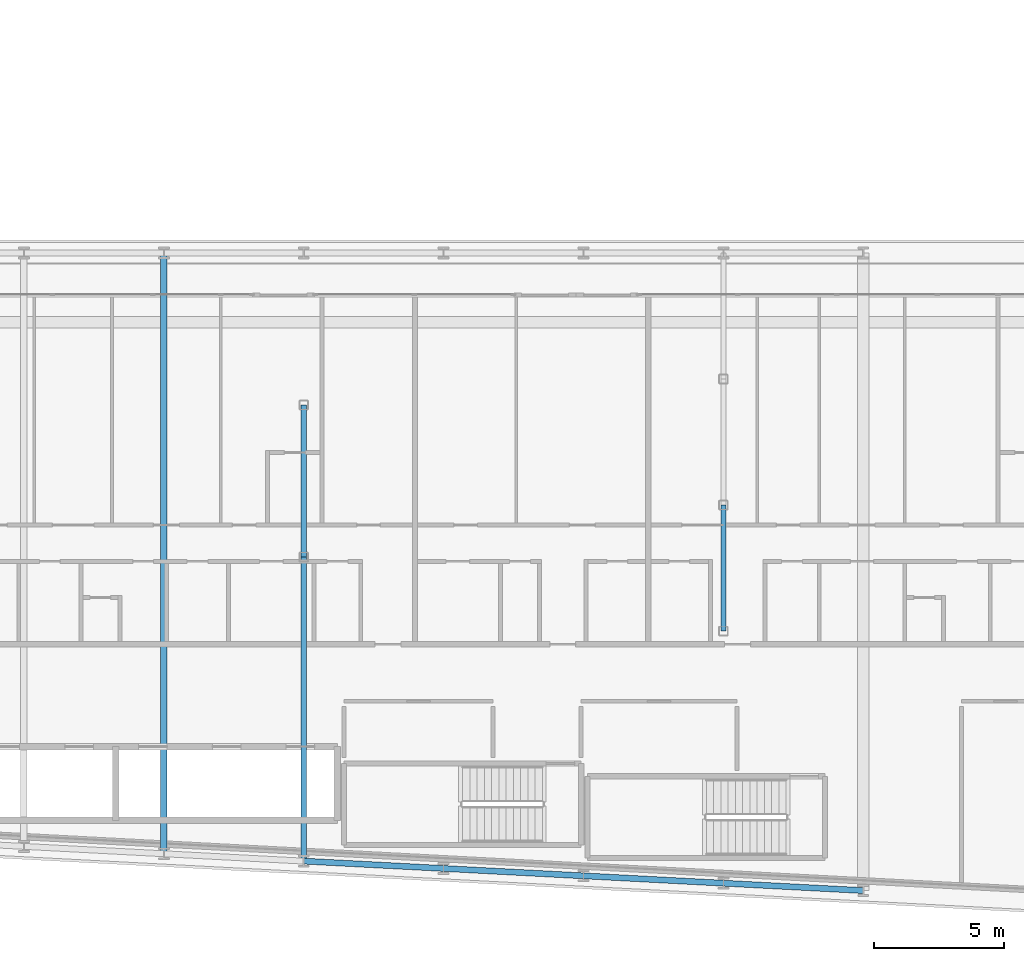
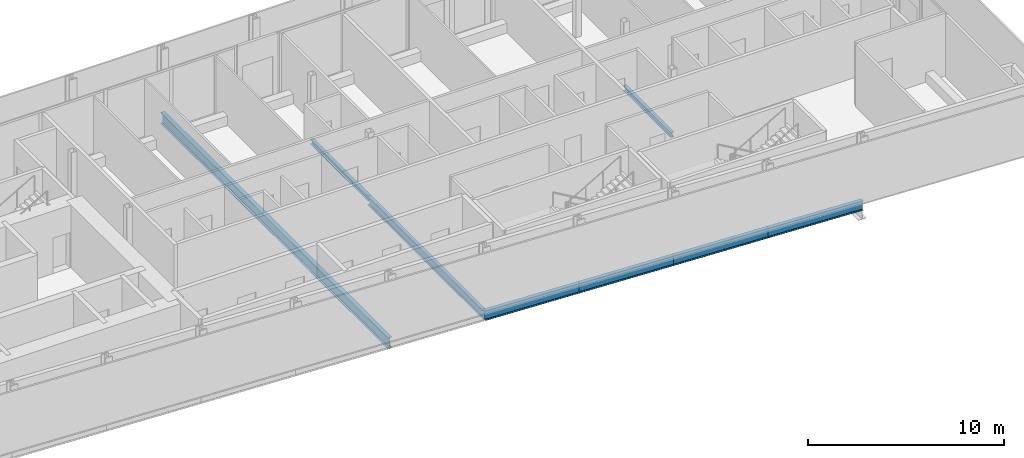
# One storey, part 5 of 28: 8 beams.
"""IFC4 building model written with IfcOpenShell, lengths in metres."""

import ifcopenshell
import ifcopenshell.guid

model = None  # the IFC model being written
_history = None  # IfcOwnerHistory: only IFC2X3 demands one
_inside = {}  # id of a spatial element -> (the spatial element, [elements in it])
_under = {}  # id of a project, library or spatial element -> (it, [spatial elements below it])
_declared = {}  # id of a project -> (the project, [libraries it declares])
_typed = {}  # id of a type object -> (the type object, [elements of that type])
_made_of = {}  # id of a material, layer set ... -> (it, [elements and type objects made of it])


def new_model(schema):
    """Start an empty IFC model of exactly this schema.

    Asked for "IFC4X3", IfcOpenShell would pick the latest addendum, in which some entities
    have other attributes; the version numbers below select the first issue.
    IFC2X3 requires an IfcOwnerHistory on every rooted entity: one is made here for all.
    """
    global model, _history
    if schema == "IFC4X3":
        model = ifcopenshell.file(schema_version=(4, 3, 0, 0))
    else:
        model = ifcopenshell.file(schema=schema)
    _inside.clear()
    _under.clear()
    _declared.clear()
    _typed.clear()
    _made_of.clear()
    _history = None
    if model.schema == "IFC2X3":
        org = make("IfcOrganization", Name="unknown")
        user = make(
            "IfcPersonAndOrganization",
            ThePerson=make("IfcPerson", FamilyName="unknown"),
            TheOrganization=org,
        )
        app = make(
            "IfcApplication",
            ApplicationDeveloper=org,
            Version="unknown",
            ApplicationFullName="unknown",
            ApplicationIdentifier="unknown",
        )
        _history = make(
            "IfcOwnerHistory",
            OwningUser=user,
            OwningApplication=app,
            ChangeAction="ADDED",
            CreationDate=0,
        )
    return model


def make(cls, **values):
    """One entity of the class cls with the attributes given. An attribute that is None is left unset."""
    return model.create_entity(
        cls, **{name: value for name, value in values.items() if value is not None}
    )


def rooted(cls, **values):
    """An entity with a GlobalId (a new one), such as an element, a storey or a relation."""
    return make(cls, GlobalId=ifcopenshell.guid.new(), OwnerHistory=_history, **values)


def si_unit(unit_type, name, prefix=None):
    """IfcSIUnit, for example si_unit("LENGTHUNIT", "METRE", prefix="MILLI")."""
    return make("IfcSIUnit", UnitType=unit_type, Prefix=prefix, Name=name)


def assignment(units):
    """IfcUnitAssignment: the units of a project."""
    return None if units is None else make("IfcUnitAssignment", Units=units)


def point(xyz):
    """IfcCartesianPoint."""
    return None if xyz is None else make("IfcCartesianPoint", Coordinates=xyz)


def direction(xyz):
    """IfcDirection."""
    return None if xyz is None else make("IfcDirection", DirectionRatios=xyz)


def frame(location, z_axis=None, x_axis=None):
    """IfcAxis2Placement3D, a coordinate frame: its origin and axes. An axis left out is left unset."""
    return make(
        "IfcAxis2Placement3D",
        Location=point(location),
        Axis=direction(z_axis),
        RefDirection=direction(x_axis),
    )


def frame_2d(location, x_axis=None):
    """IfcAxis2Placement2D, a coordinate frame in the plane: its origin and x axis."""
    return make(
        "IfcAxis2Placement2D", Location=point(location), RefDirection=direction(x_axis)
    )


def origin():
    """The frame at (0, 0, 0) with its axes left unset."""
    return frame((0.0, 0.0, 0.0))


def origin_2d():
    """The frame at (0, 0) in the plane with its x axis left unset."""
    return frame_2d((0.0, 0.0))


def place(relative_to, where):
    """IfcLocalPlacement: puts the frame where relative to a parent placement (None: the world)."""
    return make(
        "IfcLocalPlacement", PlacementRelTo=relative_to, RelativePlacement=where
    )


def context(
    kind, dimensions, precision=None, world=None, true_north=None, identifier=None
):
    """IfcGeometricRepresentationContext, for example the 3D "Model" context."""
    return make(
        "IfcGeometricRepresentationContext",
        ContextIdentifier=identifier,
        ContextType=kind,
        CoordinateSpaceDimension=dimensions,
        Precision=precision,
        WorldCoordinateSystem=world,
        TrueNorth=true_north,
    )


def subcontext(parent, identifier, kind, view, scale=None):
    """IfcGeometricRepresentationSubContext, for example "Body" below "Model"."""
    return make(
        "IfcGeometricRepresentationSubContext",
        ContextIdentifier=identifier,
        ContextType=kind,
        ParentContext=parent,
        TargetScale=scale,
        TargetView=view,
    )


def project(units=None, contexts=None):
    """IfcProject with its units and contexts."""
    return rooted(
        "IfcProject",
        Name="project",
        RepresentationContexts=contexts,
        UnitsInContext=assignment(units),
    )


def spatial(cls, under=None, at=None, **own):
    """A site, building, storey or space (cls), placed at a placement, below another one or the project."""
    s = rooted(cls, ObjectPlacement=at, **own)
    if under is not None:
        _under.setdefault(under.id(), (under, []))[1].append(s)
    return s


def profile(cls, at=None, kind="AREA", **sizes):
    """A parametric profile (cls). Its sizes go by their IFC names, for example OverallWidth=200.0."""
    return make(cls, ProfileType=kind, Position=at, **sizes)


def i_section(**sizes):
    """IfcIShapeProfileDef."""
    return profile("IfcIShapeProfileDef", **sizes)


def extrude(swept, where, along, depth):
    """IfcExtrudedAreaSolid: the profile swept, set in the frame where, extruded along a direction by depth."""
    return make(
        "IfcExtrudedAreaSolid",
        SweptArea=swept,
        Position=where,
        ExtrudedDirection=direction(along),
        Depth=depth,
    )


def shape(context_of_items, identifier, shape_type, items):
    """IfcShapeRepresentation: the items that make up one representation, for example the "Body"."""
    return make(
        "IfcShapeRepresentation",
        ContextOfItems=context_of_items,
        RepresentationIdentifier=identifier,
        RepresentationType=shape_type,
        Items=items,
    )


def material(Name=None, Category=None):
    """IfcMaterial."""
    return make("IfcMaterial", Name=Name, Category=Category)


def material_profile(
    of_material, cross_section, Name=None, Category=None, Priority=None
):
    """IfcMaterialProfile: a cross section and its material."""
    return make(
        "IfcMaterialProfile",
        Name=Name,
        Material=of_material,
        Profile=cross_section,
        Priority=Priority,
        Category=Category,
    )


def profile_set(profiles, Name=None, composite=None):
    """IfcMaterialProfileSet."""
    return make(
        "IfcMaterialProfileSet",
        Name=Name,
        MaterialProfiles=profiles,
        CompositeProfile=composite,
    )


def made_of(thing, what):
    """Note that an element or type object is made of a material, layer set ...; save() writes the relation."""
    if what is not None:
        _made_of.setdefault(what.id(), (what, []))[1].append(thing)
    return thing


def type_object(cls, material=None, **own):
    """A type object (cls), such as IfcWallType, which elements share."""
    return made_of(rooted(cls, **own), material)


def element(
    cls,
    number,
    at=None,
    inside=None,
    cuts=None,
    type_object=None,
    material=None,
    context=None,
    identifier="Body",
    shape_type=None,
    held_by="IfcProductDefinitionShape",
    body=None,
    shapes=None,
    **own,
):
    """One element of the class cls, such as IfcWall. Its Tag is "e" and its number.

    at: its placement. inside: the storey or other place that contains it. cuts: it is an
    opening in that element (IfcRelVoidsElement). A single representation is given by context,
    identifier, shape_type and body (its items); several are given by shapes. held_by: the class
    of the entity that holds the representations. save() writes the other relations.
    """
    e = rooted(cls, Tag="e%d" % number, ObjectPlacement=at, **own)
    if body is not None:
        shapes = [shape(context, identifier, shape_type, body)]
    if shapes is not None:
        e.Representation = make(held_by, Representations=shapes)
    if inside is not None:
        _inside.setdefault(inside.id(), (inside, []))[1].append(e)
    if cuts is not None:
        rooted(
            "IfcRelVoidsElement", RelatingBuildingElement=cuts, RelatedOpeningElement=e
        )
    if type_object is not None:
        _typed.setdefault(type_object.id(), (type_object, []))[1].append(e)
    return made_of(e, material)


def aggregate(whole, parts):
    """IfcRelAggregates: a whole, such as a stair, and the parts it consists of."""
    return rooted("IfcRelAggregates", RelatingObject=whole, RelatedObjects=parts)


def save(model, path):
    """Write the relations noted so far, then the file.

    IfcRelAggregates (storeys below a building ...), IfcRelContainedInSpatialStructure (elements
    in a storey), IfcRelDefinesByType, IfcRelAssociatesMaterial and IfcRelDeclares: one each for
    every whole, place, type object, material and project.
    """
    for whole, parts in _under.values():
        aggregate(whole, parts)
    for where, things in _inside.values():
        rooted(
            "IfcRelContainedInSpatialStructure",
            RelatedElements=things,
            RelatingStructure=where,
        )
    for kind, things in _typed.values():
        rooted("IfcRelDefinesByType", RelatedObjects=things, RelatingType=kind)
    for what, things in _made_of.values():
        rooted("IfcRelAssociatesMaterial", RelatedObjects=things, RelatingMaterial=what)
    for by, libraries in _declared.values():
        rooted("IfcRelDeclares", RelatingContext=by, RelatedDefinitions=libraries)
    model.write(path)


model = new_model("IFC4")

# Units and contexts
model_context = context("Model", 3, precision=1e-05, world=origin(), true_north=direction((0.0, 1.0)))
body_context = subcontext(model_context, "Body", "Model", "MODEL_VIEW")
ifc_project = project(units=[si_unit("LENGTHUNIT", "METRE"), si_unit("AREAUNIT", "SQUARE_METRE"), si_unit("VOLUMEUNIT", "CUBIC_METRE"), si_unit("PLANEANGLEUNIT", "RADIAN"), si_unit("MASSUNIT", "GRAM", prefix="KILO")], contexts=[model_context])

# Site, building, storey
site_placement = place(None, origin())
site = spatial("IfcSite", under=ifc_project, at=site_placement, CompositionType="ELEMENT")
building_placement = place(site_placement, origin())
building = spatial("IfcBuilding", under=site, at=building_placement, Name="Kheshtan School and Residences Tower", CompositionType="ELEMENT")
storey_placement = place(building_placement, frame((0.0, 0.0, 140.89990234375)))
storey = spatial("IfcBuildingStorey", under=building, at=storey_placement, Name="L33", CompositionType="ELEMENT", Elevation=140.89990234375)

# Beams
ifc_material = material(Name="Steel ASTM A992 Grade 50", Category="steel")
ifc_material_profile_1 = material_profile(ifc_material, i_section(OverallWidth=0.202880859375, OverallDepth=0.302978515625, WebThickness=0.007568359375, FlangeThickness=0.01318359375, FilletRadius=0.009033203125, at=origin_2d()), Name="W310x60")
ifc_profile_set_1 = profile_set([ifc_material_profile_1], Name="Steel ASTM A992 Grade 50")
beam_type_1 = type_object("IfcBeamType", Name="Beam FB1 W310x60 ASTM A992 Grade 50", PredefinedType="BEAM", material=ifc_profile_set_1)
beam_1_placement = place(storey_placement, frame((85.39990234375, 31.0048828125, -0.301513671875), z_axis=(0.0, 1.0, 0.0), x_axis=(-1.0, 0.0, 0.0)))
element("IfcBeam", 1, at=beam_1_placement, inside=storey, type_object=beam_type_1, Name="Floor beam IC", PredefinedType="BEAM", context=body_context, shape_type="SweptSolid", body=[
    extrude(i_section(OverallWidth=0.202880859375, OverallDepth=0.302978515625, WebThickness=0.007568359375, FlangeThickness=0.01318359375, FilletRadius=0.009033203125, at=origin_2d()), origin(), (0.0, 0.0, 1.0), 4.865234375),
])
beam_2_placement = place(storey_placement, frame((69.199951171875, 33.863037109375, -0.301513671875), z_axis=(0.0, 1.0, 0.0), x_axis=(-1.0, 0.0, 0.0)))
element("IfcBeam", 2, at=beam_2_placement, inside=storey, type_object=beam_type_1, Name="Floor beam IC", PredefinedType="BEAM", context=body_context, shape_type="SweptSolid", body=[
    extrude(i_section(OverallWidth=0.202880859375, OverallDepth=0.302978515625, WebThickness=0.007568359375, FlangeThickness=0.01318359375, FilletRadius=0.009033203125, at=origin_2d()), origin(), (0.0, 0.0, 1.0), 5.868896484375),
])
ifc_material_profile_2 = material_profile(ifc_material, i_section(OverallWidth=0.208984375, OverallDepth=0.532958984375, WebThickness=0.01025390625, FlangeThickness=0.015625, FilletRadius=0.013916015625, at=origin_2d()), Name="W530x92")
ifc_profile_set_2 = profile_set([ifc_material_profile_2], Name="Steel ASTM A992 Grade 50")
beam_type_2 = type_object("IfcBeamType", Name="Beam FB4 W530x92 ASTM A992 Grade 50", PredefinedType="BEAM", material=ifc_profile_set_2)
beam_3_placement = place(storey_placement, frame((69.199951171875, 22.126953125, -0.41650390625), z_axis=(0.0, 1.0, 0.0), x_axis=(-1.0, 0.0, 0.0)))
element("IfcBeam", 3, at=beam_3_placement, inside=storey, type_object=beam_type_2, Name="Floor beam C014", PredefinedType="BEAM", context=body_context, shape_type="SweptSolid", body=[
    extrude(i_section(OverallWidth=0.208984375, OverallDepth=0.532958984375, WebThickness=0.01025390625, FlangeThickness=0.015625, FilletRadius=0.013916015625, at=origin_2d()), origin(), (0.0, 0.0, 1.0), 11.736083984375),
])
ifc_material_profile_3 = material_profile(ifc_material, i_section(OverallWidth=0.2529296875, OverallDepth=0.677978515625, WebThickness=0.01171875, FlangeThickness=0.016357421875, FilletRadius=0.0146484375, at=origin_2d()), Name="W690x125")
ifc_profile_set_3 = profile_set([ifc_material_profile_3], Name="Steel ASTM A992 Grade 50")
beam_type_3 = type_object("IfcBeamType", Name="Beam FB6 W690x125 ASTM A992 Grade 50", PredefinedType="BEAM", material=ifc_profile_set_3)
beam_4_placement = place(storey_placement, frame((63.800048828125, 45.60009765625, -0.489013671875), z_axis=(0.0, -1.0, 0.0), x_axis=(1.0, 0.0, 0.0)))
element("IfcBeam", 4, at=beam_4_placement, inside=storey, type_object=beam_type_3, Name="Floor beam C063", PredefinedType="BEAM", context=body_context, shape_type="SweptSolid", body=[
    extrude(i_section(OverallWidth=0.2529296875, OverallDepth=0.677978515625, WebThickness=0.01171875, FlangeThickness=0.016357421875, FilletRadius=0.0146484375, at=origin_2d()), origin(), (0.0, 0.0, 1.0), 23.189208984375),
])
ifc_material_profile_4 = material_profile(ifc_material, i_section(OverallWidth=0.22802734375, OverallDepth=0.60302734375, WebThickness=0.010498046875, FlangeThickness=0.014892578125, FilletRadius=0.013427734375, at=origin_2d()), Name="W610x101")
ifc_profile_set_4 = profile_set([ifc_material_profile_4], Name="Steel ASTM A992 Grade 50")
beam_type_4 = type_object("IfcBeamType", Name="Beam SP2 W610x101 ASTM A992 Grade 50", PredefinedType="BEAM", material=ifc_profile_set_4)
beam_5_placement = place(storey_placement, frame((90.800048828125, 20.989990234375, -0.451416015625), z_axis=(-0.998620571751, 0.05250670125, 0.0), x_axis=(-0.05250670125, -0.998620571751, 0.0)))
element("IfcBeam", 5, at=beam_5_placement, inside=storey, type_object=beam_type_4, Name="Spandrel beam C006-C008", PredefinedType="BEAM", context=body_context, shape_type="SweptSolid", body=[
    extrude(i_section(OverallWidth=0.22802734375, OverallDepth=0.60302734375, WebThickness=0.010498046875, FlangeThickness=0.014892578125, FilletRadius=0.013427734375, at=origin_2d()), origin(), (0.0, 0.0, 1.0), 5.40771484375),
])
for number, where, z_axis, x_axis, name in (
    (6, (85.39990234375, 21.27392578125, -0.451416015625), (-0.998618078766, 0.052554093665, 0.0), (-0.052554093665, -0.998618078766, 0.0), "Spandrel beam C008-C012"),
    (7, (80.0, 21.55810546875, -0.451416015625), (-0.998610961136, 0.052689166816, 0.0), (-0.052689166816, -0.998610961136, 0.0), "Spandrel beam C012-C013"),
):
    element("IfcBeam", number, at=place(storey_placement, frame(where, z_axis=z_axis, x_axis=x_axis)), inside=storey, type_object=beam_type_4, Name=name, PredefinedType="BEAM", context=body_context, shape_type="SweptSolid", body=[
        extrude(i_section(OverallWidth=0.22802734375, OverallDepth=0.60302734375, WebThickness=0.010498046875, FlangeThickness=0.014892578125, FilletRadius=0.013427734375, at=origin_2d()), origin(), (0.0, 0.0, 1.0), 5.407470703125),
    ])
beam_6_placement = place(storey_placement, frame((74.60009765625, 21.843017578125, -0.451416015625), z_axis=(-0.998620571751, 0.05250670125, 0.0), x_axis=(-0.05250670125, -0.998620571751, 0.0)))
element("IfcBeam", 8, at=beam_6_placement, inside=storey, type_object=beam_type_4, Name="Spandrel beam C013-C014", PredefinedType="BEAM", context=body_context, shape_type="SweptSolid", body=[
    extrude(i_section(OverallWidth=0.22802734375, OverallDepth=0.60302734375, WebThickness=0.010498046875, FlangeThickness=0.014892578125, FilletRadius=0.013427734375, at=origin_2d()), origin(), (0.0, 0.0, 1.0), 5.40771484375),
])

save(model, "model.ifc")
